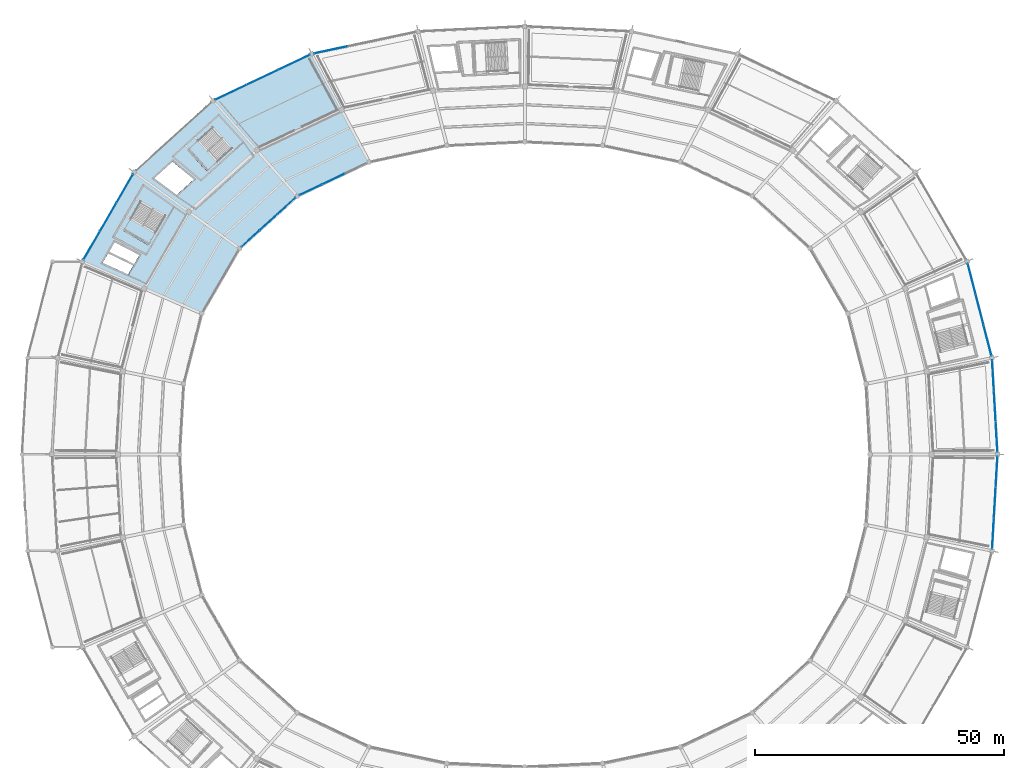
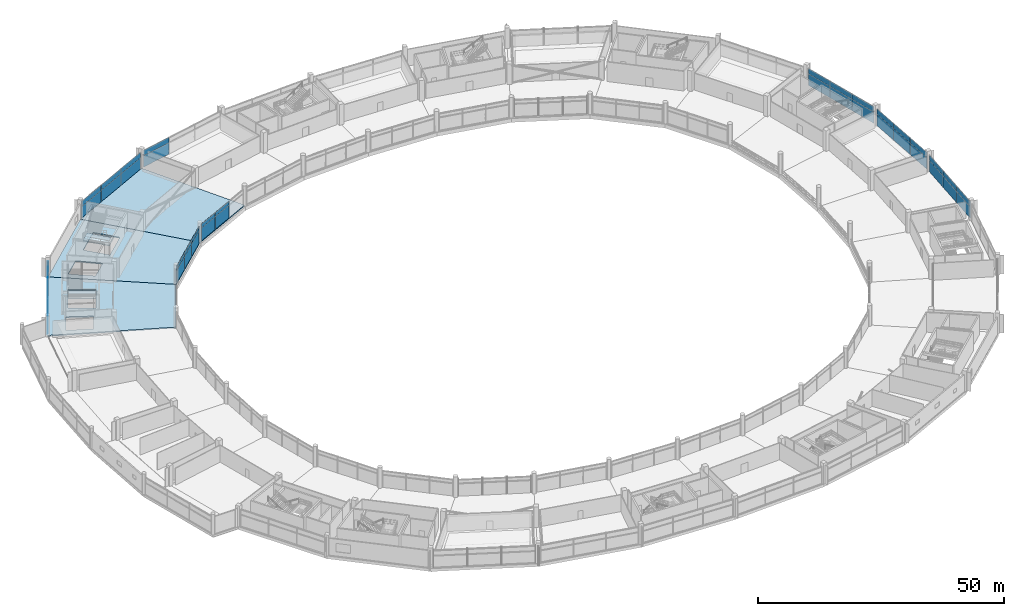
# One storey, part 141 of 184: 42 plates, 5 slabs, 10 elements without a shape of their own.
"""IFC4 building model written with IfcOpenShell, lengths in metres."""

from ifc_helpers import new_model, si_unit, direction, frame, origin, origin_2d, place, context, subcontext, project, spatial, polyline, rectangle, outline, extrude, material, layer, layer_set, type_object, element, aggregate, save


model = new_model("IFC4")

# Units and contexts
model_context = context("Model", 3, precision=1e-05, world=origin(), true_north=direction((0.0, 1.0)))
body_context = subcontext(model_context, "Body", "Model", "MODEL_VIEW")
ifc_project = project(units=[si_unit("LENGTHUNIT", "METRE"), si_unit("AREAUNIT", "SQUARE_METRE"), si_unit("VOLUMEUNIT", "CUBIC_METRE"), si_unit("PLANEANGLEUNIT", "RADIAN"), si_unit("MASSUNIT", "GRAM", prefix="KILO")], contexts=[model_context])

# Site, building, storey
site_placement = place(None, origin())
site = spatial("IfcSite", under=ifc_project, at=site_placement, CompositionType="ELEMENT")
building_placement = place(site_placement, origin())
building = spatial("IfcBuilding", under=site, at=building_placement, Name="Kazemori Nagisa Stadium", CompositionType="ELEMENT")
storey_placement = place(building_placement, frame((0.0, 0.0, 10.5400390625)))
storey = spatial("IfcBuildingStorey", under=building, at=storey_placement, Name="L02", CompositionType="ELEMENT", Elevation=10.5400390625)

# Curtain wall, plates
ifc_material_1 = material(Name="Anodised aluminium 6063-T5", Category="aluminium")
ifc_layer_1 = layer(ifc_material_1, 0.2099609375, Name="Anodised aluminium 6063-T5", Category="aluminium")
ifc_layer_set_1 = layer_set([ifc_layer_1], Name="Anodised aluminium 6063-T5")
curtain_wall_type_1 = type_object("IfcCurtainWallType", Name="CW_L02B_73", PredefinedType="USERDEFINED", material=ifc_layer_set_1)
curtain_wall_1_placement = place(storey_placement, origin())
curtain_wall_1 = element("IfcCurtainWall", 1, at=curtain_wall_1_placement, inside=storey, type_object=curtain_wall_type_1, Name="Unitised curtain wall CW-L02B-73 L02", ObjectType="UNITISED CURTAIN WALL", PredefinedType="USERDEFINED")
ifc_material_2 = material(Name="Anodised aluminium spandrel sheet", Category="aluminium")
ifc_layer_2 = layer(ifc_material_2, 0.044921875, Name="Anodised aluminium spandrel sheet", Category="aluminium")
ifc_layer_set_2 = layer_set([ifc_layer_2], Name="Anodised aluminium spandrel sheet")
plate_type_1 = type_object("IfcPlateType", Name="CWPanel_SPN_L02B_73", PredefinedType="CURTAIN_PANEL", material=ifc_layer_set_2)
plate_1_placement = place(storey_placement, frame((75.10498046875, 151.8828125, 3.1845703125), z_axis=(0.0, 0.0, 1.0), x_axis=(-0.741350875443, -0.671117634607, 0.0)))
plate_1 = element("IfcPlate", 2, at=plate_1_placement, type_object=plate_type_1, Name="Curtain wall spandrel panel CW-L02B-73-S1", PredefinedType="CURTAIN_PANEL", context=body_context, shape_type="SweptSolid", body=[
    extrude(rectangle(XDim=4.83740234375, YDim=0.044921875, at=origin_2d()), origin(), (0.0, 0.0, 1.0), 1.005615234375),
])
plate_2_placement = place(storey_placement, frame((71.5009765625, 148.6201171875, 3.1845703125), z_axis=(0.0, 0.0, 1.0), x_axis=(-0.741350875443, -0.671117634607, 0.0)))
plate_2 = element("IfcPlate", 3, at=plate_2_placement, type_object=plate_type_1, Name="Curtain wall spandrel panel CW-L02B-73-S2", PredefinedType="CURTAIN_PANEL", context=body_context, shape_type="SweptSolid", body=[
    extrude(rectangle(XDim=4.83740234375, YDim=0.044921875, at=origin_2d()), origin(), (0.0, 0.0, 1.0), 1.005615234375),
])
plate_3_placement = place(storey_placement, frame((67.89697265625, 145.357666015625, 3.1845703125), z_axis=(0.0, 0.0, 1.0), x_axis=(-0.741350875443, -0.671117634607, 0.0)))
plate_3 = element("IfcPlate", 4, at=plate_3_placement, type_object=plate_type_1, Name="Curtain wall spandrel panel CW-L02B-73-S3", PredefinedType="CURTAIN_PANEL", context=body_context, shape_type="SweptSolid", body=[
    extrude(rectangle(XDim=4.83740234375, YDim=0.044921875, at=origin_2d()), origin(), (0.0, 0.0, 1.0), 1.005615234375),
])

ifc_layer_3 = layer(ifc_material_1, 0.2099609375, Name="Anodised aluminium 6063-T5", Category="aluminium")
ifc_layer_set_3 = layer_set([ifc_layer_3], Name="Anodised aluminium 6063-T5")
curtain_wall_type_2 = type_object("IfcCurtainWallType", Name="CW_L02B_75", PredefinedType="USERDEFINED", material=ifc_layer_set_3)
curtain_wall_2_placement = place(storey_placement, origin())
curtain_wall_2 = element("IfcCurtainWall", 5, at=curtain_wall_2_placement, inside=storey, type_object=curtain_wall_type_2, Name="Unitised curtain wall CW-L02B-75 L02", ObjectType="UNITISED CURTAIN WALL", PredefinedType="USERDEFINED")
ifc_layer_4 = layer(ifc_material_2, 0.044921875, Name="Anodised aluminium spandrel sheet", Category="aluminium")
ifc_layer_set_4 = layer_set([ifc_layer_4], Name="Anodised aluminium spandrel sheet")
plate_type_2 = type_object("IfcPlateType", Name="CWPanel_SPN_L02B_75", PredefinedType="CURTAIN_PANEL", material=ifc_layer_set_4)
plate_4_placement = place(storey_placement, frame((84.528076171875, 157.305908203125, 3.1845703125), z_axis=(0.0, 0.0, 1.0), x_axis=(-0.903215892654, -0.429186499388, 0.0)))
plate_4 = element("IfcPlate", 6, at=plate_4_placement, type_object=plate_type_2, Name="Curtain wall spandrel panel CW-L02B-75-S2", PredefinedType="CURTAIN_PANEL", context=body_context, shape_type="SweptSolid", body=[
    extrude(rectangle(XDim=4.95166015625, YDim=0.044921875, at=origin_2d()), origin(), (0.0, 0.0, 1.0), 1.005615234375),
])
plate_5_placement = place(storey_placement, frame((80.03369140625, 155.17041015625, 3.1845703125), z_axis=(0.0, 0.0, 1.0), x_axis=(-0.903215892654, -0.429186499388, 0.0)))
plate_5 = element("IfcPlate", 7, at=plate_5_placement, type_object=plate_type_2, Name="Curtain wall spandrel panel CW-L02B-75-S3", PredefinedType="CURTAIN_PANEL", context=body_context, shape_type="SweptSolid", body=[
    extrude(rectangle(XDim=4.95166015625, YDim=0.044921875, at=origin_2d()), origin(), (0.0, 0.0, 1.0), 1.005615234375),
])

# Curtain wall, plate
ifc_layer_5 = layer(ifc_material_1, 0.2099609375, Name="Anodised aluminium 6063-T5", Category="aluminium")
ifc_layer_set_5 = layer_set([ifc_layer_5], Name="Anodised aluminium 6063-T5")
curtain_wall_type_3 = type_object("IfcCurtainWallType", Name="CW_L02R3_105", PredefinedType="USERDEFINED", material=ifc_layer_set_5)
curtain_wall_3_placement = place(storey_placement, origin())
curtain_wall_3 = element("IfcCurtainWall", 8, at=curtain_wall_3_placement, inside=storey, type_object=curtain_wall_type_3, Name="Unitised curtain wall CW-L02R3-105 L02", ObjectType="UNITISED CURTAIN WALL", PredefinedType="USERDEFINED")
ifc_layer_6 = layer(ifc_material_2, 0.048095703125, Name="Anodised aluminium spandrel sheet", Category="aluminium")
ifc_layer_set_6 = layer_set([ifc_layer_6], Name="Anodised aluminium spandrel sheet")
plate_type_3 = type_object("IfcPlateType", Name="CWPanel_SPN_L02R3_105", PredefinedType="CURTAIN_PANEL", material=ifc_layer_set_6)
plate_6_placement = place(storey_placement, frame((84.06787109375, 183.283447265625, 2.84912109375), z_axis=(0.0, 0.0, 1.0), x_axis=(-0.978344955407, -0.206981033502, 0.0)))
plate_6 = element("IfcPlate", 9, at=plate_6_placement, type_object=plate_type_3, Name="Curtain wall spandrel panel CW-L02R3-105-S3", PredefinedType="CURTAIN_PANEL", context=body_context, shape_type="SweptSolid", body=[
    extrude(rectangle(XDim=6.942626953125, YDim=0.048095703125, at=origin_2d()), origin(), (0.0, 0.0, 1.0), 1.3408203125),
])

# Curtain wall, plates
curtain_wall_4_placement = place(storey_placement, origin())
curtain_wall_4 = element("IfcCurtainWall", 10, at=curtain_wall_4_placement, inside=storey, type_object=curtain_wall_type_3, Name="Unitised curtain wall CW-L02R3-105 L02", ObjectType="UNITISED CURTAIN WALL", PredefinedType="USERDEFINED")
plate_7_placement = place(storey_placement, frame((76.6103515625, 180.7607421875, 2.84912109375), z_axis=(0.0, 0.0, 1.0), x_axis=(-0.903215892654, -0.429186499388, 0.0)))
plate_7 = element("IfcPlate", 11, at=plate_7_placement, type_object=plate_type_3, Name="Curtain wall spandrel panel CW-L02R3-105-S1", PredefinedType="CURTAIN_PANEL", context=body_context, shape_type="SweptSolid", body=[
    extrude(rectangle(XDim=6.964111328125, YDim=0.048095703125, at=origin_2d()), origin(), (0.0, 0.0, 1.0), 1.3408203125),
])
plate_8_placement = place(storey_placement, frame((70.298583984375, 177.76171875, 2.84912109375), z_axis=(0.0, 0.0, 1.0), x_axis=(-0.903215892654, -0.429186499388, 0.0)))
plate_8 = element("IfcPlate", 12, at=plate_8_placement, type_object=plate_type_3, Name="Curtain wall spandrel panel CW-L02R3-105-S2", PredefinedType="CURTAIN_PANEL", context=body_context, shape_type="SweptSolid", body=[
    extrude(rectangle(XDim=6.964111328125, YDim=0.048095703125, at=origin_2d()), origin(), (0.0, 0.0, 1.0), 1.3408203125),
])
plate_9_placement = place(storey_placement, frame((63.98681640625, 174.762451171875, 2.84912109375), z_axis=(0.0, 0.0, 1.0), x_axis=(-0.903215892654, -0.429186499388, 0.0)))
plate_9 = element("IfcPlate", 13, at=plate_9_placement, type_object=plate_type_3, Name="Curtain wall spandrel panel CW-L02R3-105-S3", PredefinedType="CURTAIN_PANEL", context=body_context, shape_type="SweptSolid", body=[
    extrude(rectangle(XDim=6.964111328125, YDim=0.048095703125, at=origin_2d()), origin(), (0.0, 0.0, 1.0), 1.3408203125),
])

ifc_layer_7 = layer(ifc_material_1, 0.2099609375, Name="Anodised aluminium 6063-T5", Category="aluminium")
ifc_layer_set_7 = layer_set([ifc_layer_7], Name="Anodised aluminium 6063-T5")
curtain_wall_type_4 = type_object("IfcCurtainWallType", Name="CW_L02R3_93", PredefinedType="USERDEFINED", material=ifc_layer_set_7)
curtain_wall_5_placement = place(storey_placement, origin())
curtain_wall_5 = element("IfcCurtainWall", 14, at=curtain_wall_5_placement, inside=storey, type_object=curtain_wall_type_4, Name="Unitised curtain wall CW-L02R3-93 L02", ObjectType="UNITISED CURTAIN WALL", PredefinedType="USERDEFINED")
ifc_layer_8 = layer(ifc_material_2, 0.048095703125, Name="Anodised aluminium spandrel sheet", Category="aluminium")
ifc_layer_set_8 = layer_set([ifc_layer_8], Name="Anodised aluminium spandrel sheet")
plate_type_4 = type_object("IfcPlateType", Name="CWPanel_SPN_L02R3_93", PredefinedType="CURTAIN_PANEL", material=ifc_layer_set_8)
plate_10_placement = place(storey_placement, frame((217.795166015625, 105.549072265625, 2.84912109375), z_axis=(0.0, 0.0, 1.0), x_axis=(-0.057601670941, 0.998339645364, 0.0)))
plate_10 = element("IfcPlate", 15, at=plate_10_placement, type_object=plate_type_4, Name="Curtain wall spandrel panel CW-L02R3-93-S1", PredefinedType="CURTAIN_PANEL", context=body_context, shape_type="SweptSolid", body=[
    extrude(rectangle(XDim=6.135986328125, YDim=0.048095703125, at=origin_2d()), origin(), (0.0, 0.0, 1.0), 1.3408203125),
])
plate_11_placement = place(storey_placement, frame((217.4404296875, 111.69873046875, 2.84912109375), z_axis=(0.0, 0.0, 1.0), x_axis=(-0.057601670941, 0.998339645364, 0.0)))
plate_11 = element("IfcPlate", 16, at=plate_11_placement, type_object=plate_type_4, Name="Curtain wall spandrel panel CW-L02R3-93-S2", PredefinedType="CURTAIN_PANEL", context=body_context, shape_type="SweptSolid", body=[
    extrude(rectangle(XDim=6.135986328125, YDim=0.048095703125, at=origin_2d()), origin(), (0.0, 0.0, 1.0), 1.3408203125),
])
plate_12_placement = place(storey_placement, frame((217.085693359375, 117.8486328125, 2.84912109375), z_axis=(0.0, 0.0, 1.0), x_axis=(-0.057601670941, 0.998339645364, 0.0)))
plate_12 = element("IfcPlate", 17, at=plate_12_placement, type_object=plate_type_4, Name="Curtain wall spandrel panel CW-L02R3-93-S3", PredefinedType="CURTAIN_PANEL", context=body_context, shape_type="SweptSolid", body=[
    extrude(rectangle(XDim=6.135986328125, YDim=0.048095703125, at=origin_2d()), origin(), (0.0, 0.0, 1.0), 1.3408203125),
])

curtain_wall_6_placement = place(storey_placement, origin())
curtain_wall_6 = element("IfcCurtainWall", 18, at=curtain_wall_6_placement, inside=storey, type_object=curtain_wall_type_4, Name="Unitised curtain wall CW-L02R3-93 L02", ObjectType="UNITISED CURTAIN WALL", PredefinedType="USERDEFINED")
plate_13_placement = place(storey_placement, frame((217.085693359375, 86.1513671875, 2.84912109375), z_axis=(0.0, 0.0, 1.0), x_axis=(0.057601670941, 0.998339645364, 0.0)))
plate_13 = element("IfcPlate", 19, at=plate_13_placement, type_object=plate_type_4, Name="Curtain wall spandrel panel CW-L02R3-93-S1", PredefinedType="CURTAIN_PANEL", context=body_context, shape_type="SweptSolid", body=[
    extrude(rectangle(XDim=6.135986328125, YDim=0.048095703125, at=origin_2d()), origin(), (0.0, 0.0, 1.0), 1.3408203125),
])
plate_14_placement = place(storey_placement, frame((217.4404296875, 92.30126953125, 2.84912109375), z_axis=(0.0, 0.0, 1.0), x_axis=(0.057601670941, 0.998339645364, 0.0)))
plate_14 = element("IfcPlate", 20, at=plate_14_placement, type_object=plate_type_4, Name="Curtain wall spandrel panel CW-L02R3-93-S2", PredefinedType="CURTAIN_PANEL", context=body_context, shape_type="SweptSolid", body=[
    extrude(rectangle(XDim=6.135986328125, YDim=0.048095703125, at=origin_2d()), origin(), (0.0, 0.0, 1.0), 1.3408203125),
])
plate_15_placement = place(storey_placement, frame((217.795166015625, 98.450927734375, 2.84912109375), z_axis=(0.0, 0.0, 1.0), x_axis=(0.057601670941, 0.998339645364, 0.0)))
plate_15 = element("IfcPlate", 21, at=plate_15_placement, type_object=plate_type_4, Name="Curtain wall spandrel panel CW-L02R3-93-S3", PredefinedType="CURTAIN_PANEL", context=body_context, shape_type="SweptSolid", body=[
    extrude(rectangle(XDim=6.135986328125, YDim=0.048095703125, at=origin_2d()), origin(), (0.0, 0.0, 1.0), 1.3408203125),
])

ifc_layer_9 = layer(ifc_material_1, 0.2099609375, Name="Anodised aluminium 6063-T5", Category="aluminium")
ifc_layer_set_9 = layer_set([ifc_layer_9], Name="Anodised aluminium 6063-T5")
curtain_wall_type_5 = type_object("IfcCurtainWallType", Name="CW_L02R3_96", PredefinedType="USERDEFINED", material=ifc_layer_set_9)
curtain_wall_7_placement = place(storey_placement, origin())
curtain_wall_7 = element("IfcCurtainWall", 22, at=curtain_wall_7_placement, inside=storey, type_object=curtain_wall_type_5, Name="Unitised curtain wall CW-L02R3-96 L02", ObjectType="UNITISED CURTAIN WALL", PredefinedType="USERDEFINED")
ifc_layer_10 = layer(ifc_material_2, 0.048095703125, Name="Anodised aluminium spandrel sheet", Category="aluminium")
ifc_layer_set_10 = layer_set([ifc_layer_10], Name="Anodised aluminium spandrel sheet")
plate_type_5 = type_object("IfcPlateType", Name="CWPanel_SPN_L02R3_96", PredefinedType="CURTAIN_PANEL", material=ifc_layer_set_10)
plate_16_placement = place(storey_placement, frame((215.968994140625, 124.9296875, 2.84912109375), z_axis=(0.0, 0.0, 1.0), x_axis=(-0.249964642418, 0.968254965152, 0.0)))
plate_16 = element("IfcPlate", 23, at=plate_16_placement, type_object=plate_type_5, Name="Curtain wall spandrel panel CW-L02R3-96-S1", PredefinedType="CURTAIN_PANEL", context=body_context, shape_type="SweptSolid", body=[
    extrude(rectangle(XDim=6.3212890625, YDim=0.048095703125, at=origin_2d()), origin(), (0.0, 0.0, 1.0), 1.3408203125),
])
plate_17_placement = place(storey_placement, frame((214.3828125, 131.07373046875, 2.84912109375), z_axis=(0.0, 0.0, 1.0), x_axis=(-0.249964642418, 0.968254965152, 0.0)))
plate_17 = element("IfcPlate", 24, at=plate_17_placement, type_object=plate_type_5, Name="Curtain wall spandrel panel CW-L02R3-96-S2", PredefinedType="CURTAIN_PANEL", context=body_context, shape_type="SweptSolid", body=[
    extrude(rectangle(XDim=6.3212890625, YDim=0.048095703125, at=origin_2d()), origin(), (0.0, 0.0, 1.0), 1.3408203125),
])
plate_18_placement = place(storey_placement, frame((212.796630859375, 137.217529296875, 2.84912109375), z_axis=(0.0, 0.0, 1.0), x_axis=(-0.249964642418, 0.968254965152, 0.0)))
plate_18 = element("IfcPlate", 25, at=plate_18_placement, type_object=plate_type_5, Name="Curtain wall spandrel panel CW-L02R3-96-S3", PredefinedType="CURTAIN_PANEL", context=body_context, shape_type="SweptSolid", body=[
    extrude(rectangle(XDim=6.3212890625, YDim=0.048095703125, at=origin_2d()), origin(), (0.0, 0.0, 1.0), 1.3408203125),
])

ifc_layer_11 = layer(ifc_material_1, 0.2099609375, Name="Anodised aluminium 6063-T5", Category="aluminium")
ifc_layer_set_11 = layer_set([ifc_layer_11], Name="Anodised aluminium 6063-T5")
curtain_wall_type_6 = type_object("IfcCurtainWallType", Name="CW_L02R3_99", PredefinedType="USERDEFINED", material=ifc_layer_set_11)
curtain_wall_8_placement = place(storey_placement, origin())
curtain_wall_8 = element("IfcCurtainWall", 26, at=curtain_wall_8_placement, inside=storey, type_object=curtain_wall_type_6, Name="Unitised curtain wall CW-L02R3-99 L02", ObjectType="UNITISED CURTAIN WALL", PredefinedType="USERDEFINED")
ifc_layer_12 = layer(ifc_material_2, 0.048095703125, Name="Anodised aluminium spandrel sheet", Category="aluminium")
ifc_layer_set_12 = layer_set([ifc_layer_12], Name="Anodised aluminium spandrel sheet")
plate_type_6 = type_object("IfcPlateType", Name="CWPanel_SPN_L02R3_99", PredefinedType="CURTAIN_PANEL", material=ifc_layer_set_12)
plate_19_placement = place(storey_placement, frame((42.6142578125, 155.4072265625, 2.84912109375), z_axis=(0.0, 0.0, 1.0), x_axis=(-0.501611590054, -0.865092950337, 0.0)))
plate_19 = element("IfcPlate", 27, at=plate_19_placement, type_object=plate_type_6, Name="Curtain wall spandrel panel CW-L02R3-99-S1", PredefinedType="CURTAIN_PANEL", context=body_context, shape_type="SweptSolid", body=[
    extrude(rectangle(XDim=6.563232421875, YDim=0.048095703125, at=origin_2d()), origin(), (0.0, 0.0, 1.0), 1.3408203125),
])
plate_20_placement = place(storey_placement, frame((39.309814453125, 149.70849609375, 2.84912109375), z_axis=(0.0, 0.0, 1.0), x_axis=(-0.501611590054, -0.865092950337, 0.0)))
plate_20 = element("IfcPlate", 28, at=plate_20_placement, type_object=plate_type_6, Name="Curtain wall spandrel panel CW-L02R3-99-S2", PredefinedType="CURTAIN_PANEL", context=body_context, shape_type="SweptSolid", body=[
    extrude(rectangle(XDim=6.563232421875, YDim=0.048095703125, at=origin_2d()), origin(), (0.0, 0.0, 1.0), 1.3408203125),
])
plate_21_placement = place(storey_placement, frame((36.005615234375, 144.009765625, 2.84912109375), z_axis=(0.0, 0.0, 1.0), x_axis=(-0.501611590054, -0.865092950337, 0.0)))
plate_21 = element("IfcPlate", 29, at=plate_21_placement, type_object=plate_type_6, Name="Curtain wall spandrel panel CW-L02R3-99-S3", PredefinedType="CURTAIN_PANEL", context=body_context, shape_type="SweptSolid", body=[
    extrude(rectangle(XDim=6.563232421875, YDim=0.048095703125, at=origin_2d()), origin(), (0.0, 0.0, 1.0), 1.3408203125),
])

# Plate
ifc_material_3 = material(Name="Low-e laminated double glazing", Category="glass")
ifc_layer_13 = layer(ifc_material_3, 0.031982421875, Name="Low-e laminated double glazing", Category="glass")
ifc_layer_set_13 = layer_set([ifc_layer_13], Name="Low-e laminated double glazing")
plate_type_7 = type_object("IfcPlateType", Name="CWPanel_VIS_L02B_73", PredefinedType="CURTAIN_PANEL", material=ifc_layer_set_13)
plate_22_placement = place(storey_placement, frame((75.10498046875, 151.8828125, 0.0), z_axis=(0.0, 0.0, 1.0), x_axis=(-0.741350875443, -0.671117634607, 0.0)))
plate_22 = element("IfcPlate", 30, at=plate_22_placement, type_object=plate_type_7, Name="Curtain wall vision panel CW-L02B-73-V1", PredefinedType="CURTAIN_PANEL", context=body_context, shape_type="SweptSolid", body=[
    extrude(rectangle(XDim=4.83740234375, YDim=0.031982421875, at=origin_2d()), origin(), (0.0, 0.0, 1.0), 3.184326171875),
])

plate_23_placement = place(storey_placement, frame((71.5009765625, 148.6201171875, 0.0), z_axis=(0.0, 0.0, 1.0), x_axis=(-0.741350875443, -0.671117634607, 0.0)))
plate_23 = element("IfcPlate", 31, at=plate_23_placement, type_object=plate_type_7, Name="Curtain wall vision panel CW-L02B-73-V2", PredefinedType="CURTAIN_PANEL", context=body_context, shape_type="SweptSolid", body=[
    extrude(rectangle(XDim=4.83740234375, YDim=0.031982421875, at=origin_2d()), origin(), (0.0, 0.0, 1.0), 3.184326171875),
])

plate_24_placement = place(storey_placement, frame((67.89697265625, 145.357666015625, 0.0), z_axis=(0.0, 0.0, 1.0), x_axis=(-0.741350875443, -0.671117634607, 0.0)))
plate_24 = element("IfcPlate", 32, at=plate_24_placement, type_object=plate_type_7, Name="Curtain wall vision panel CW-L02B-73-V3", PredefinedType="CURTAIN_PANEL", context=body_context, shape_type="SweptSolid", body=[
    extrude(rectangle(XDim=4.83740234375, YDim=0.031982421875, at=origin_2d()), origin(), (0.0, 0.0, 1.0), 3.184326171875),
])

aggregate(curtain_wall_1, [plate_22, plate_1, plate_23, plate_2, plate_24, plate_3])

ifc_layer_14 = layer(ifc_material_3, 0.031982421875, Name="Low-e laminated double glazing", Category="glass")
ifc_layer_set_14 = layer_set([ifc_layer_14], Name="Low-e laminated double glazing")
plate_type_8 = type_object("IfcPlateType", Name="CWPanel_VIS_L02B_75", PredefinedType="CURTAIN_PANEL", material=ifc_layer_set_14)
plate_25_placement = place(storey_placement, frame((84.528076171875, 157.305908203125, 0.0), z_axis=(0.0, 0.0, 1.0), x_axis=(-0.903215892654, -0.429186499388, 0.0)))
plate_25 = element("IfcPlate", 33, at=plate_25_placement, type_object=plate_type_8, Name="Curtain wall vision panel CW-L02B-75-V2", PredefinedType="CURTAIN_PANEL", context=body_context, shape_type="SweptSolid", body=[
    extrude(rectangle(XDim=4.95166015625, YDim=0.031982421875, at=origin_2d()), origin(), (0.0, 0.0, 1.0), 3.184326171875),
])

plate_26_placement = place(storey_placement, frame((80.03369140625, 155.17041015625, 0.0), z_axis=(0.0, 0.0, 1.0), x_axis=(-0.903215892654, -0.429186499388, 0.0)))
plate_26 = element("IfcPlate", 34, at=plate_26_placement, type_object=plate_type_8, Name="Curtain wall vision panel CW-L02B-75-V3", PredefinedType="CURTAIN_PANEL", context=body_context, shape_type="SweptSolid", body=[
    extrude(rectangle(XDim=4.95166015625, YDim=0.031982421875, at=origin_2d()), origin(), (0.0, 0.0, 1.0), 3.184326171875),
])

aggregate(curtain_wall_2, [plate_25, plate_4, plate_26, plate_5])

ifc_layer_15 = layer(ifc_material_3, 0.030029296875, Name="Low-e laminated double glazing", Category="glass")
ifc_layer_set_15 = layer_set([ifc_layer_15], Name="Low-e laminated double glazing")
plate_type_9 = type_object("IfcPlateType", Name="CWPanel_VIS_L02R3_105", PredefinedType="CURTAIN_PANEL", material=ifc_layer_set_15)
plate_27_placement = place(storey_placement, frame((84.06787109375, 183.283447265625, 0.0), z_axis=(0.0, 0.0, 1.0), x_axis=(-0.978344955407, -0.206981033502, 0.0)))
plate_27 = element("IfcPlate", 35, at=plate_27_placement, type_object=plate_type_9, Name="Curtain wall vision panel CW-L02R3-105-V3", PredefinedType="CURTAIN_PANEL", context=body_context, shape_type="SweptSolid", body=[
    extrude(rectangle(XDim=6.942626953125, YDim=0.030029296875, at=origin_2d()), origin(), (0.0, 0.0, 1.0), 2.84912109375),
])

aggregate(curtain_wall_3, [plate_27, plate_6])

plate_28_placement = place(storey_placement, frame((76.6103515625, 180.7607421875, 0.0), z_axis=(0.0, 0.0, 1.0), x_axis=(-0.903215892654, -0.429186499388, 0.0)))
plate_28 = element("IfcPlate", 36, at=plate_28_placement, type_object=plate_type_9, Name="Curtain wall vision panel CW-L02R3-105-V1", PredefinedType="CURTAIN_PANEL", context=body_context, shape_type="SweptSolid", body=[
    extrude(rectangle(XDim=6.964111328125, YDim=0.030029296875, at=origin_2d()), origin(), (0.0, 0.0, 1.0), 2.84912109375),
])

plate_29_placement = place(storey_placement, frame((70.298583984375, 177.76171875, 0.0), z_axis=(0.0, 0.0, 1.0), x_axis=(-0.903215892654, -0.429186499388, 0.0)))
plate_29 = element("IfcPlate", 37, at=plate_29_placement, type_object=plate_type_9, Name="Curtain wall vision panel CW-L02R3-105-V2", PredefinedType="CURTAIN_PANEL", context=body_context, shape_type="SweptSolid", body=[
    extrude(rectangle(XDim=6.964111328125, YDim=0.030029296875, at=origin_2d()), origin(), (0.0, 0.0, 1.0), 2.84912109375),
])

plate_30_placement = place(storey_placement, frame((63.98681640625, 174.762451171875, 0.0), z_axis=(0.0, 0.0, 1.0), x_axis=(-0.903215892654, -0.429186499388, 0.0)))
plate_30 = element("IfcPlate", 38, at=plate_30_placement, type_object=plate_type_9, Name="Curtain wall vision panel CW-L02R3-105-V3", PredefinedType="CURTAIN_PANEL", context=body_context, shape_type="SweptSolid", body=[
    extrude(rectangle(XDim=6.964111328125, YDim=0.030029296875, at=origin_2d()), origin(), (0.0, 0.0, 1.0), 2.84912109375),
])

aggregate(curtain_wall_4, [plate_28, plate_7, plate_29, plate_8, plate_30, plate_9])

ifc_layer_16 = layer(ifc_material_3, 0.030029296875, Name="Low-e laminated double glazing", Category="glass")
ifc_layer_set_16 = layer_set([ifc_layer_16], Name="Low-e laminated double glazing")
plate_type_10 = type_object("IfcPlateType", Name="CWPanel_VIS_L02R3_93", PredefinedType="CURTAIN_PANEL", material=ifc_layer_set_16)
plate_31_placement = place(storey_placement, frame((217.795166015625, 105.549072265625, 0.0), z_axis=(0.0, 0.0, 1.0), x_axis=(-0.057601670941, 0.998339645364, 0.0)))
plate_31 = element("IfcPlate", 39, at=plate_31_placement, type_object=plate_type_10, Name="Curtain wall vision panel CW-L02R3-93-V1", PredefinedType="CURTAIN_PANEL", context=body_context, shape_type="SweptSolid", body=[
    extrude(rectangle(XDim=6.135986328125, YDim=0.030029296875, at=origin_2d()), origin(), (0.0, 0.0, 1.0), 2.84912109375),
])

plate_32_placement = place(storey_placement, frame((217.4404296875, 111.69873046875, 0.0), z_axis=(0.0, 0.0, 1.0), x_axis=(-0.057601670941, 0.998339645364, 0.0)))
plate_32 = element("IfcPlate", 40, at=plate_32_placement, type_object=plate_type_10, Name="Curtain wall vision panel CW-L02R3-93-V2", PredefinedType="CURTAIN_PANEL", context=body_context, shape_type="SweptSolid", body=[
    extrude(rectangle(XDim=6.135986328125, YDim=0.030029296875, at=origin_2d()), origin(), (0.0, 0.0, 1.0), 2.84912109375),
])

plate_33_placement = place(storey_placement, frame((217.085693359375, 117.8486328125, 0.0), z_axis=(0.0, 0.0, 1.0), x_axis=(-0.057601670941, 0.998339645364, 0.0)))
plate_33 = element("IfcPlate", 41, at=plate_33_placement, type_object=plate_type_10, Name="Curtain wall vision panel CW-L02R3-93-V3", PredefinedType="CURTAIN_PANEL", context=body_context, shape_type="SweptSolid", body=[
    extrude(rectangle(XDim=6.135986328125, YDim=0.030029296875, at=origin_2d()), origin(), (0.0, 0.0, 1.0), 2.84912109375),
])

aggregate(curtain_wall_5, [plate_31, plate_10, plate_32, plate_11, plate_33, plate_12])

plate_34_placement = place(storey_placement, frame((217.085693359375, 86.1513671875, 0.0), z_axis=(0.0, 0.0, 1.0), x_axis=(0.057601670941, 0.998339645364, 0.0)))
plate_34 = element("IfcPlate", 42, at=plate_34_placement, type_object=plate_type_10, Name="Curtain wall vision panel CW-L02R3-93-V1", PredefinedType="CURTAIN_PANEL", context=body_context, shape_type="SweptSolid", body=[
    extrude(rectangle(XDim=6.135986328125, YDim=0.030029296875, at=origin_2d()), origin(), (0.0, 0.0, 1.0), 2.84912109375),
])

plate_35_placement = place(storey_placement, frame((217.4404296875, 92.30126953125, 0.0), z_axis=(0.0, 0.0, 1.0), x_axis=(0.057601670941, 0.998339645364, 0.0)))
plate_35 = element("IfcPlate", 43, at=plate_35_placement, type_object=plate_type_10, Name="Curtain wall vision panel CW-L02R3-93-V2", PredefinedType="CURTAIN_PANEL", context=body_context, shape_type="SweptSolid", body=[
    extrude(rectangle(XDim=6.135986328125, YDim=0.030029296875, at=origin_2d()), origin(), (0.0, 0.0, 1.0), 2.84912109375),
])

plate_36_placement = place(storey_placement, frame((217.795166015625, 98.450927734375, 0.0), z_axis=(0.0, 0.0, 1.0), x_axis=(0.057601670941, 0.998339645364, 0.0)))
plate_36 = element("IfcPlate", 44, at=plate_36_placement, type_object=plate_type_10, Name="Curtain wall vision panel CW-L02R3-93-V3", PredefinedType="CURTAIN_PANEL", context=body_context, shape_type="SweptSolid", body=[
    extrude(rectangle(XDim=6.135986328125, YDim=0.030029296875, at=origin_2d()), origin(), (0.0, 0.0, 1.0), 2.84912109375),
])

aggregate(curtain_wall_6, [plate_34, plate_13, plate_35, plate_14, plate_36, plate_15])

ifc_layer_17 = layer(ifc_material_3, 0.030029296875, Name="Low-e laminated double glazing", Category="glass")
ifc_layer_set_17 = layer_set([ifc_layer_17], Name="Low-e laminated double glazing")
plate_type_11 = type_object("IfcPlateType", Name="CWPanel_VIS_L02R3_96", PredefinedType="CURTAIN_PANEL", material=ifc_layer_set_17)
plate_37_placement = place(storey_placement, frame((215.968994140625, 124.9296875, 0.0), z_axis=(0.0, 0.0, 1.0), x_axis=(-0.249964642418, 0.968254965152, 0.0)))
plate_37 = element("IfcPlate", 45, at=plate_37_placement, type_object=plate_type_11, Name="Curtain wall vision panel CW-L02R3-96-V1", PredefinedType="CURTAIN_PANEL", context=body_context, shape_type="SweptSolid", body=[
    extrude(rectangle(XDim=6.3212890625, YDim=0.030029296875, at=origin_2d()), origin(), (0.0, 0.0, 1.0), 2.84912109375),
])

plate_38_placement = place(storey_placement, frame((214.3828125, 131.07373046875, 0.0), z_axis=(0.0, 0.0, 1.0), x_axis=(-0.249964642418, 0.968254965152, 0.0)))
plate_38 = element("IfcPlate", 46, at=plate_38_placement, type_object=plate_type_11, Name="Curtain wall vision panel CW-L02R3-96-V2", PredefinedType="CURTAIN_PANEL", context=body_context, shape_type="SweptSolid", body=[
    extrude(rectangle(XDim=6.3212890625, YDim=0.030029296875, at=origin_2d()), origin(), (0.0, 0.0, 1.0), 2.84912109375),
])

plate_39_placement = place(storey_placement, frame((212.796630859375, 137.217529296875, 0.0), z_axis=(0.0, 0.0, 1.0), x_axis=(-0.249964642418, 0.968254965152, 0.0)))
plate_39 = element("IfcPlate", 47, at=plate_39_placement, type_object=plate_type_11, Name="Curtain wall vision panel CW-L02R3-96-V3", PredefinedType="CURTAIN_PANEL", context=body_context, shape_type="SweptSolid", body=[
    extrude(rectangle(XDim=6.3212890625, YDim=0.030029296875, at=origin_2d()), origin(), (0.0, 0.0, 1.0), 2.84912109375),
])

aggregate(curtain_wall_7, [plate_37, plate_16, plate_38, plate_17, plate_39, plate_18])

ifc_layer_18 = layer(ifc_material_3, 0.030029296875, Name="Low-e laminated double glazing", Category="glass")
ifc_layer_set_18 = layer_set([ifc_layer_18], Name="Low-e laminated double glazing")
plate_type_12 = type_object("IfcPlateType", Name="CWPanel_VIS_L02R3_99", PredefinedType="CURTAIN_PANEL", material=ifc_layer_set_18)
plate_40_placement = place(storey_placement, frame((42.6142578125, 155.4072265625, 0.0), z_axis=(0.0, 0.0, 1.0), x_axis=(-0.501611590054, -0.865092950337, 0.0)))
plate_40 = element("IfcPlate", 48, at=plate_40_placement, type_object=plate_type_12, Name="Curtain wall vision panel CW-L02R3-99-V1", PredefinedType="CURTAIN_PANEL", context=body_context, shape_type="SweptSolid", body=[
    extrude(rectangle(XDim=6.563232421875, YDim=0.030029296875, at=origin_2d()), origin(), (0.0, 0.0, 1.0), 2.84912109375),
])

plate_41_placement = place(storey_placement, frame((39.309814453125, 149.70849609375, 0.0), z_axis=(0.0, 0.0, 1.0), x_axis=(-0.501611590054, -0.865092950337, 0.0)))
plate_41 = element("IfcPlate", 49, at=plate_41_placement, type_object=plate_type_12, Name="Curtain wall vision panel CW-L02R3-99-V2", PredefinedType="CURTAIN_PANEL", context=body_context, shape_type="SweptSolid", body=[
    extrude(rectangle(XDim=6.563232421875, YDim=0.030029296875, at=origin_2d()), origin(), (0.0, 0.0, 1.0), 2.84912109375),
])

plate_42_placement = place(storey_placement, frame((36.005615234375, 144.009765625, 0.0), z_axis=(0.0, 0.0, 1.0), x_axis=(-0.501611590054, -0.865092950337, 0.0)))
plate_42 = element("IfcPlate", 50, at=plate_42_placement, type_object=plate_type_12, Name="Curtain wall vision panel CW-L02R3-99-V3", PredefinedType="CURTAIN_PANEL", context=body_context, shape_type="SweptSolid", body=[
    extrude(rectangle(XDim=6.563232421875, YDim=0.030029296875, at=origin_2d()), origin(), (0.0, 0.0, 1.0), 2.84912109375),
])

aggregate(curtain_wall_8, [plate_40, plate_19, plate_41, plate_20, plate_42, plate_21])

# Slabs
ifc_material_4 = material(Name="Concrete C36/45 (Fc36)", Category="concrete")
ifc_layer_19 = layer(ifc_material_4, 0.260009765625, Name="Concrete C36/45 (Fc36)", Category="concrete")
ifc_layer_set_19 = layer_set([ifc_layer_19], Name="Concrete C36/45 (Fc36)")
slab_type_1 = type_object("IfcSlabType", Name="Slab_SL-CONC-260", PredefinedType="FLOOR", material=ifc_layer_set_19)
slab_1_placement = place(storey_placement, frame((0.0, 0.0, -0.260009765625)))
element("IfcSlab", 51, at=slab_1_placement, inside=storey, type_object=slab_type_1, Name="Concourse floor slab L02 bay 10", PredefinedType="FLOOR", context=body_context, shape_type="SweptSolid", body=[
    extrude(outline(polyline([(91.75244140625, 160.739013671875), (77.303466796875, 153.873046875), (60.402099609375, 173.05908203125), (80.1953125, 182.46435546875), (91.75244140625, 160.739013671875)])), origin(), (0.0, 0.0, 1.0), 0.260009765625),
])
slab_2_placement = place(storey_placement, frame((0.0, 0.0, -0.260009765625)))
element("IfcSlab", 52, at=slab_2_placement, inside=storey, type_object=slab_type_1, Name="Concourse floor slab L02 bay 11", PredefinedType="FLOOR", context=body_context, shape_type="SweptSolid", body=[
    extrude(outline(polyline([(77.303466796875, 153.873046875), (65.698486328125, 143.367431640625), (44.504638671875, 158.667724609375), (60.402099609375, 173.05908203125), (77.303466796875, 153.873046875)]), holes=[polyline([(64.12109375, 163.4794921875), (59.283935546875, 159.100341796875), (55.45849609375, 163.326171875), (60.2958984375, 167.705078125), (64.12109375, 163.4794921875)]), polyline([(56.495361328125, 157.260498046875), (53.046142578125, 154.13818359375), (48.557861328125, 157.4833984375), (52.228271484375, 160.80615234375), (56.495361328125, 157.260498046875)])]), origin(), (0.0, 0.0, 1.0), 0.260009765625),
])
slab_3_placement = place(storey_placement, frame((0.0, 0.0, -0.260009765625)))
element("IfcSlab", 53, at=slab_3_placement, inside=storey, type_object=slab_type_1, Name="Concourse floor slab L02 bay 12", PredefinedType="FLOOR", context=body_context, shape_type="SweptSolid", body=[
    extrude(outline(polyline([(65.698486328125, 143.367431640625), (58.114013671875, 130.287109375), (34.114990234375, 140.74951171875), (44.504638671875, 158.667724609375), (65.698486328125, 143.367431640625)]), holes=[polyline([(50.736083984375, 149.940673828125), (47.463134765625, 144.2958984375), (42.531982421875, 147.155029296875), (45.80517578125, 152.7998046875), (50.736083984375, 149.940673828125)]), polyline([(45.5595703125, 142.051025390625), (43.305419921875, 138.163330078125), (38.1923828125, 140.483642578125), (40.591064453125, 144.62060546875), (45.5595703125, 142.051025390625)])]), origin(), (0.0, 0.0, 1.0), 0.260009765625),
])

# Stair, slab
stair_type = type_object("IfcStairType", Name="Stair_CORE_30", PredefinedType="TWO_STRAIGHT_RUN_STAIR", material=ifc_material_4)
stair_1_placement = place(storey_placement, origin())
stair_1 = element("IfcStair", 54, at=stair_1_placement, inside=storey, type_object=stair_type, Name="Exit stair ST02 L02", PredefinedType="TWO_STRAIGHT_RUN_STAIR")
ifc_layer_20 = layer(ifc_material_4, 0.199951171875, Name="Concrete C36/45 (Fc36)", Category="concrete")
ifc_layer_set_20 = layer_set([ifc_layer_20], Name="Concrete C36/45 (Fc36)")
slab_type_2 = type_object("IfcSlabType", Name="Slab_SL-LND-200", PredefinedType="LANDING", material=ifc_layer_set_20)
slab_4_placement = place(storey_placement, frame((0.0, 0.0, 2.349853515625)))
slab_4 = element("IfcSlab", 55, at=slab_4_placement, type_object=slab_type_2, Name="Exit stair ST02 L02 mid-landing", PredefinedType="LANDING", context=body_context, shape_type="SweptSolid", body=[
    extrude(outline(polyline([(61.185546875, 160.82177734375), (59.072509765625, 158.9091796875), (55.247314453125, 163.134765625), (57.360107421875, 165.047607421875), (61.185546875, 160.82177734375)])), origin(), (0.0, 0.0, 1.0), 0.2001953125),
])
aggregate(stair_1, [slab_4])

stair_2_placement = place(storey_placement, origin())
stair_2 = element("IfcStair", 56, at=stair_2_placement, inside=storey, type_object=stair_type, Name="Exit stair ST08 L02", PredefinedType="TWO_STRAIGHT_RUN_STAIR")
slab_5_placement = place(storey_placement, frame((0.0, 0.0, 2.349853515625)))
slab_5 = element("IfcSlab", 57, at=slab_5_placement, type_object=slab_type_2, Name="Exit stair ST08 L02 mid-landing", PredefinedType="LANDING", context=body_context, shape_type="SweptSolid", body=[
    extrude(outline(polyline([(48.749755859375, 146.514892578125), (47.320068359375, 144.04931640625), (42.38916015625, 146.908447265625), (43.818603515625, 149.3740234375), (48.749755859375, 146.514892578125)])), origin(), (0.0, 0.0, 1.0), 0.2001953125),
])
aggregate(stair_2, [slab_5])

save(model, "model.ifc")
